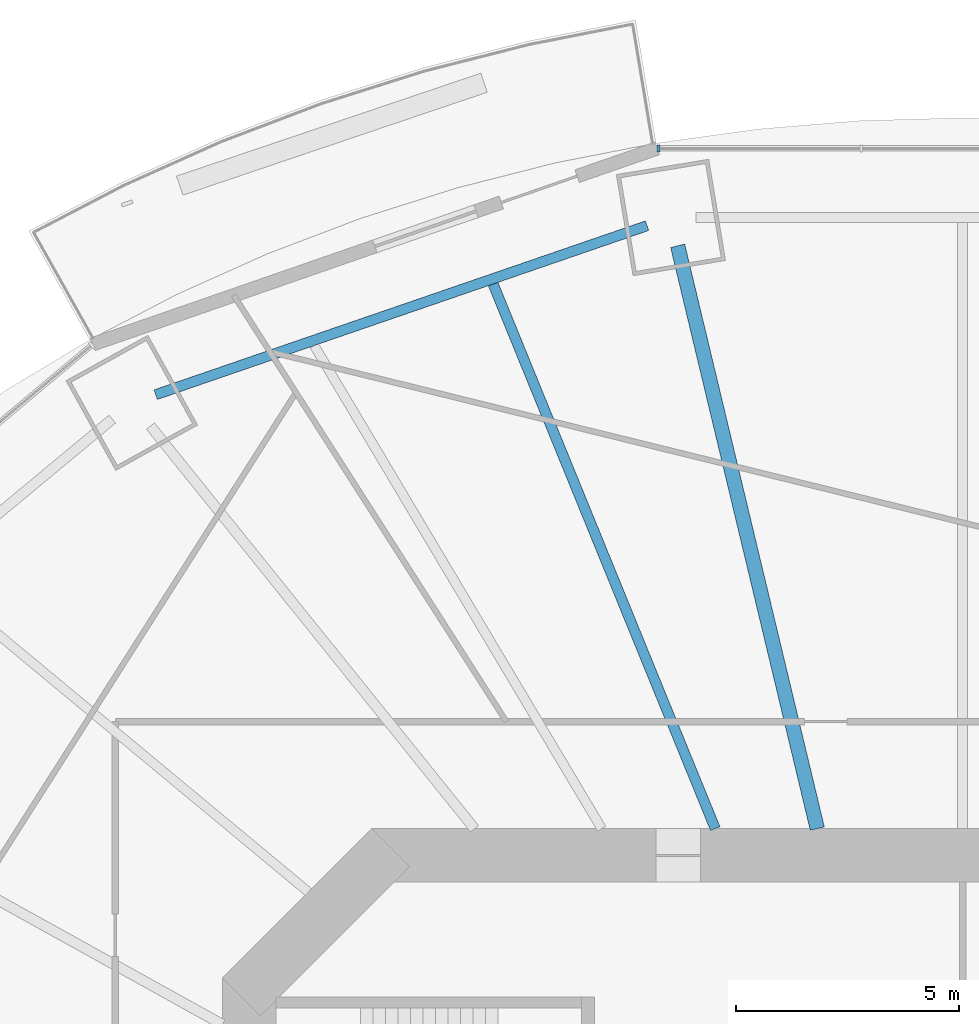
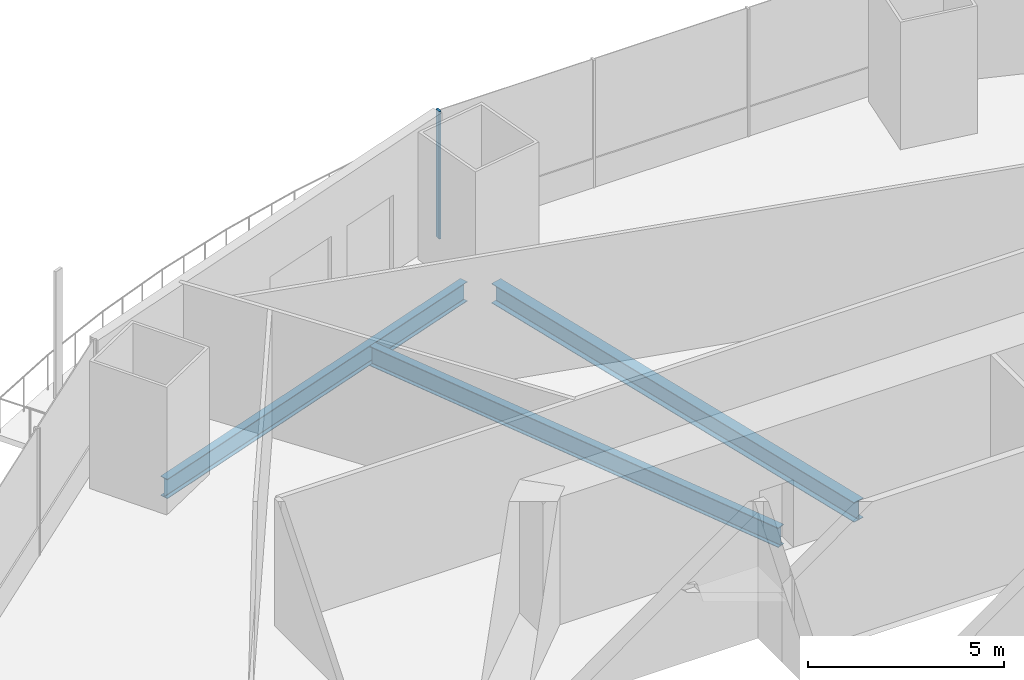
# One storey, part 7 of 22: 3 beams, 1 member, 1 element without a shape of its own.
"""IFC4 building model written with IfcOpenShell, lengths in metres."""

from ifc_helpers import new_model, si_unit, direction, frame, origin, origin_2d, place, context, subcontext, project, spatial, rectangle, i_section, extrude, material, material_profile, profile_set, type_object, element, aggregate, save


model = new_model("IFC4")

# Units and contexts
model_context = context("Model", 3, precision=1e-05, world=origin(), true_north=direction((0.0, 1.0)))
body_context = subcontext(model_context, "Body", "Model", "MODEL_VIEW")
ifc_project = project(units=[si_unit("LENGTHUNIT", "METRE"), si_unit("AREAUNIT", "SQUARE_METRE"), si_unit("VOLUMEUNIT", "CUBIC_METRE"), si_unit("PLANEANGLEUNIT", "RADIAN"), si_unit("MASSUNIT", "GRAM", prefix="KILO")], contexts=[model_context])

# Site, building, storey
site_placement = place(None, origin())
site = spatial("IfcSite", under=ifc_project, at=site_placement, CompositionType="ELEMENT")
building_placement = place(site_placement, origin())
building = spatial("IfcBuilding", under=site, at=building_placement, Name="Marenthal Gate Tower", CompositionType="ELEMENT")
storey_placement = place(building_placement, frame((0.0, 0.0, 82.800048828125)))
storey = spatial("IfcBuildingStorey", under=building, at=storey_placement, Name="L16", CompositionType="ELEMENT", Elevation=82.800048828125)

# Curtain wall, member
ifc_material_1 = material(Name="Aluminium and glass", Category="aluminium")
curtain_wall_type = type_object("IfcCurtainWallType", Name="Curtain wall typical low", PredefinedType="NOTDEFINED", material=ifc_material_1)
curtain_wall_placement = place(storey_placement, origin())
curtain_wall = element("IfcCurtainWall", 1, at=curtain_wall_placement, inside=storey, type_object=curtain_wall_type, Name="Curtain wall L16 bay 4", PredefinedType="NOTDEFINED")
ifc_material_2 = material(Name="Aluminium", Category="aluminium")
ifc_material_profile_1 = material_profile(ifc_material_2, rectangle(XDim=0.159912109375, YDim=0.06005859375, at=origin_2d()), Name="60x160 aluminium mullion")
ifc_profile_set_1 = profile_set([ifc_material_profile_1], Name="Aluminium")
member_type = type_object("IfcMemberType", Name="Mullion 60x160 typical low", PredefinedType="MULLION", material=ifc_profile_set_1)
member_placement = place(storey_placement, frame((-6.81982421875, 28.852783203125, 0.0), z_axis=(0.0, 0.0, 1.0), x_axis=(0.0, -1.0, 0.0)))
member = element("IfcMember", 2, at=member_placement, type_object=member_type, Name="Mullion L16 bay 4.4", PredefinedType="MULLION", context=body_context, shape_type="SweptSolid", body=[
    extrude(rectangle(XDim=0.159912109375, YDim=0.06005859375, at=origin_2d()), origin(), (0.0, 0.0, 1.0), 3.969970703125),
])
aggregate(curtain_wall, [member])

# Beams
ifc_material_3 = material(Name="Steel S355", Category="steel")
ifc_material_profile_2 = material_profile(ifc_material_3, i_section(OverallWidth=0.22900390625, OverallDepth=0.612060546875, WebThickness=0.011962890625, FlangeThickness=0.01953125, FilletRadius=0.0126953125, at=origin_2d()), Name="W610X125")
ifc_profile_set_2 = profile_set([ifc_material_profile_2], Name="Steel S355")
beam_type_1 = type_object("IfcBeamType", Name="W610X125 beam", PredefinedType="BEAM", material=ifc_profile_set_2)
beam_1_placement = place(storey_placement, frame((-10.52734375, 25.811279296875, -0.486083984375), z_axis=(0.377657332002, -0.925945430134, 0.0), x_axis=(0.925945430134, 0.377657332002, 0.0)))
element("IfcBeam", 3, at=beam_1_placement, inside=storey, type_object=beam_type_1, Name="BM-L16-23", PredefinedType="BEAM", context=body_context, shape_type="SweptSolid", body=[
    extrude(i_section(OverallWidth=0.22900390625, OverallDepth=0.612060546875, WebThickness=0.011962890625, FlangeThickness=0.01953125, FilletRadius=0.0126953125, at=origin_2d()), origin(), (0.0, 0.0, 1.0), 13.187744140625),
])
beam_2_placement = place(storey_placement, frame((-7.07568359375, 27.119384765625, -0.486083984375), z_axis=(-0.945652773526, -0.32517815413, 0.0), x_axis=(0.32517815413, -0.945652773526, 0.0)))
element("IfcBeam", 4, at=beam_2_placement, inside=storey, type_object=beam_type_1, Name="BM-L16-45", PredefinedType="BEAM", context=body_context, shape_type="SweptSolid", body=[
    extrude(i_section(OverallWidth=0.22900390625, OverallDepth=0.612060546875, WebThickness=0.011962890625, FlangeThickness=0.01953125, FilletRadius=0.0126953125, at=origin_2d()), origin(), (0.0, 0.0, 1.0), 11.65087890625),
])
ifc_material_4 = material(Name="Steel S355", Category="steel")
ifc_material_profile_3 = material_profile(ifc_material_4, i_section(OverallWidth=0.324951171875, OverallDepth=0.612060546875, WebThickness=0.0126953125, FlangeThickness=0.01904296875, FilletRadius=0.0126953125, at=origin_2d()), Name="W610X155")
ifc_profile_set_3 = profile_set([ifc_material_profile_3], Name="Steel S355")
beam_type_2 = type_object("IfcBeamType", Name="W610X155 beam", PredefinedType="BEAM", material=ifc_profile_set_3)
beam_3_placement = place(storey_placement, frame((-6.389404296875, 26.668212890625, -0.486083984375), z_axis=(0.233003942161, -0.972475790412, 0.0), x_axis=(0.972475790412, 0.233003942161, 0.0)))
element("IfcBeam", 5, at=beam_3_placement, inside=storey, type_object=beam_type_2, Name="BM-L16-05", PredefinedType="BEAM", context=body_context, shape_type="SweptSolid", body=[
    extrude(i_section(OverallWidth=0.324951171875, OverallDepth=0.612060546875, WebThickness=0.0126953125, FlangeThickness=0.01904296875, FilletRadius=0.0126953125, at=origin_2d()), origin(), (0.0, 0.0, 1.0), 13.43798828125),
])

save(model, "model.ifc")
